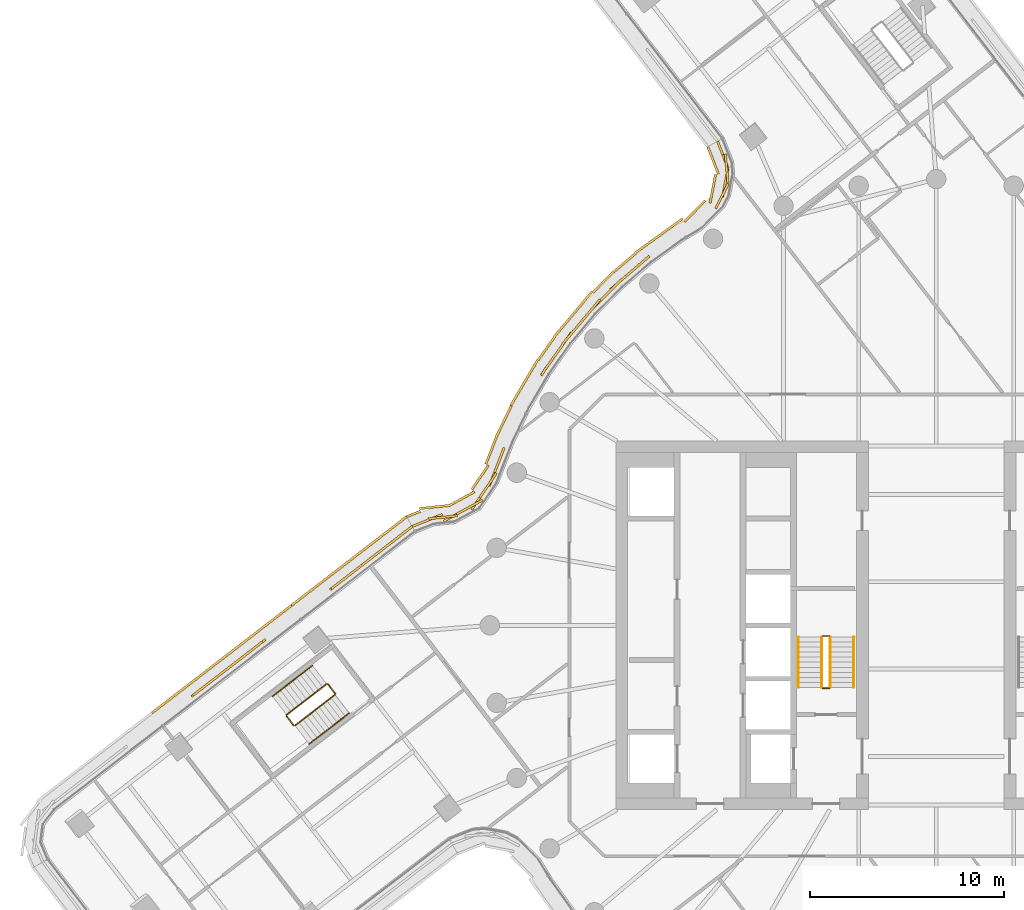
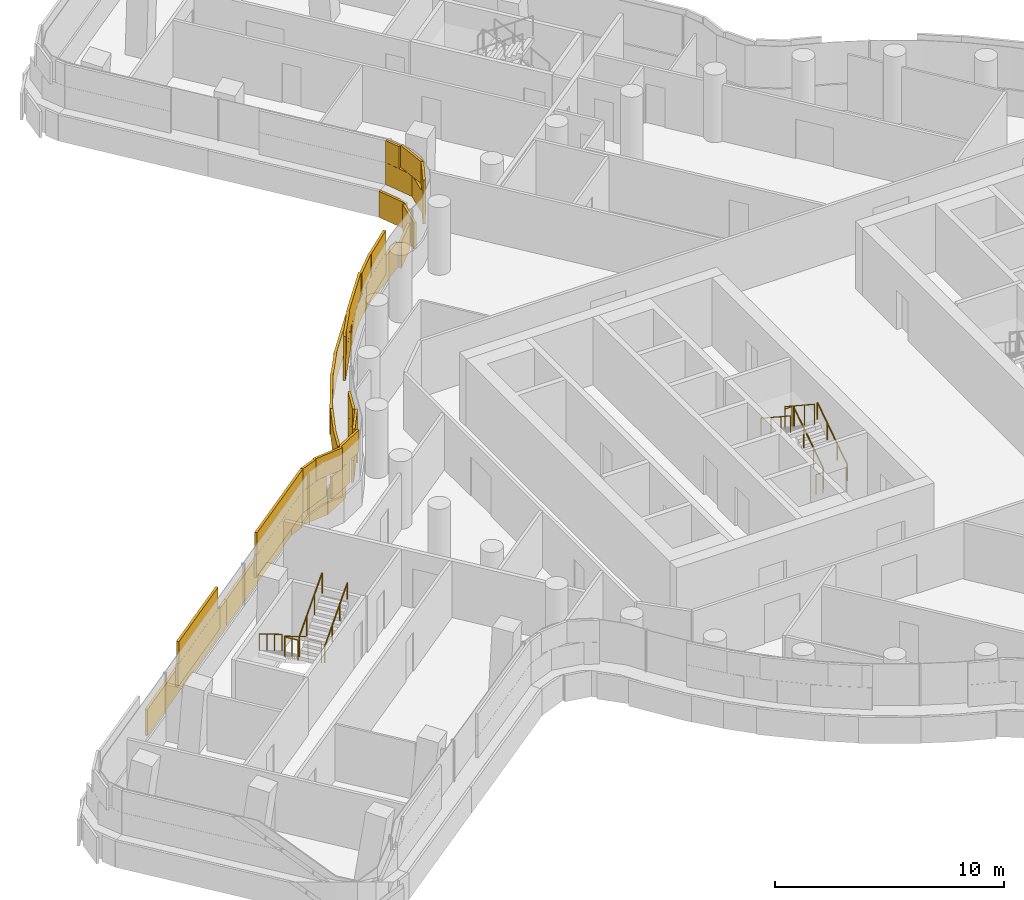
# One storey, part 29 of 33: 12 railings, 4 coverings.
"""IFC4 building model written with IfcOpenShell, lengths in metres."""

from ifc_helpers import new_model, si_unit, direction, frame, origin, origin_2d, place, context, subcontext, project, spatial, rectangle, circle, extrude, material, layer, layer_set, type_object, element, save


model = new_model("IFC4")

# Units and contexts
model_context = context("Model", 3, precision=1e-05, world=origin(), true_north=direction((0.0, 1.0)))
body_context = subcontext(model_context, "Body", "Model", "MODEL_VIEW")
ifc_project = project(units=[si_unit("LENGTHUNIT", "METRE"), si_unit("AREAUNIT", "SQUARE_METRE"), si_unit("VOLUMEUNIT", "CUBIC_METRE"), si_unit("PLANEANGLEUNIT", "RADIAN"), si_unit("MASSUNIT", "GRAM", prefix="KILO")], contexts=[model_context])

# Site, building, storey
site_placement = place(None, origin())
site = spatial("IfcSite", under=ifc_project, at=site_placement, CompositionType="ELEMENT")
building_placement = place(site_placement, origin())
building = spatial("IfcBuilding", under=site, at=building_placement, Name="Tamarind Cross Interchange Tower", CompositionType="ELEMENT")
storey_placement = place(building_placement, frame((0.0, 0.0, 170.5)))
storey = spatial("IfcBuildingStorey", under=building, at=storey_placement, Name="L42", CompositionType="ELEMENT", Elevation=170.5)

# Railings
ifc_material_1 = material(Name="Stair guard")
railing_type_1 = type_object("IfcRailingType", Name="Stair guard", PredefinedType="GUARDRAIL", material=ifc_material_1)
railing_1_placement = place(storey_placement, frame((-5.449951171875, -3.199951171875, 0.17041015625)))
element("IfcRailing", 1, at=railing_1_placement, inside=storey, type_object=railing_type_1, Name="L42 ST1 stair guard 1", PredefinedType="GUARDRAIL", context=body_context, shape_type="SweptSolid", body=[
    extrude(circle(Radius=0.02392578125, at=origin_2d()), frame((0.0, 0.0, 1.076171875), z_axis=(0.0, 0.836278606002, 0.548304744775), x_axis=(-1.0, 0.0, 0.0)), (0.0, 0.0, 1.0), 3.10888671875),
    extrude(circle(Radius=0.02099609375, at=origin_2d()), origin(), (0.0, 0.0, 1.0), 1.052001953125),
    extrude(circle(Radius=0.02099609375, at=origin_2d()), frame((0.0, 0.86669921875, 0.568115234375)), (0.0, 0.0, 1.0), 1.052001953125),
    extrude(circle(Radius=0.02099609375, at=origin_2d()), frame((0.0, 1.733154296875, 1.136474609375)), (0.0, 0.0, 1.0), 1.052001953125),
    extrude(circle(Radius=0.02099609375, at=origin_2d()), frame((0.0, 2.599853515625, 1.70458984375)), (0.0, 0.0, 1.0), 1.052001953125),
])
railing_2_placement = place(storey_placement, frame((-5.5, -0.550048828125, 1.875)))
element("IfcRailing", 2, at=railing_2_placement, inside=storey, type_object=railing_type_1, Name="L42 ST1 stair guard 2", PredefinedType="GUARDRAIL", context=body_context, shape_type="SweptSolid", body=[
    extrude(circle(Radius=0.02392578125, at=origin_2d()), frame((0.0, 0.0, 1.076171875), z_axis=(-1.0, 0.0, 0.0), x_axis=(0.0, -1.0, 0.0)), (0.0, 0.0, 1.0), 0.35009765625),
    extrude(circle(Radius=0.02099609375, at=origin_2d()), origin(), (0.0, 0.0, 1.0), 1.052001953125),
    extrude(circle(Radius=0.02099609375, at=origin_2d()), frame((-0.35009765625, 0.0, 0.0)), (0.0, 0.0, 1.0), 1.052001953125),
])
railing_3_placement = place(storey_placement, frame((-5.89990234375, -0.60009765625, 2.04541015625)))
element("IfcRailing", 3, at=railing_3_placement, inside=storey, type_object=railing_type_1, Name="L42 ST1 stair guard 3", PredefinedType="GUARDRAIL", context=body_context, shape_type="SweptSolid", body=[
    extrude(circle(Radius=0.02392578125, at=origin_2d()), frame((0.0, 0.0, 1.076171875), z_axis=(0.0, -0.836278606002, 0.548304744775), x_axis=(1.0, 0.0, 0.0)), (0.0, 0.0, 1.0), 3.10888671875),
    extrude(circle(Radius=0.02099609375, at=origin_2d()), origin(), (0.0, 0.0, 1.0), 1.052001953125),
    extrude(circle(Radius=0.02099609375, at=origin_2d()), frame((0.0, -0.86669921875, 0.568115234375)), (0.0, 0.0, 1.0), 1.052001953125),
    extrude(circle(Radius=0.02099609375, at=origin_2d()), frame((0.0, -1.733154296875, 1.136474609375)), (0.0, 0.0, 1.0), 1.052001953125),
    extrude(circle(Radius=0.02099609375, at=origin_2d()), frame((0.0, -2.599853515625, 1.70458984375)), (0.0, 0.0, 1.0), 1.052001953125),
])
railing_4_placement = place(storey_placement, frame((-5.5, -3.25, 0.0)))
element("IfcRailing", 4, at=railing_4_placement, inside=storey, type_object=railing_type_1, Name="L42 ST1 stair guard 4", PredefinedType="GUARDRAIL", context=body_context, shape_type="SweptSolid", body=[
    extrude(circle(Radius=0.02392578125, at=origin_2d()), frame((0.0, 0.0, 1.076171875), z_axis=(-1.0, 0.0, 0.0), x_axis=(0.0, -1.0, 0.0)), (0.0, 0.0, 1.0), 0.35009765625),
    extrude(circle(Radius=0.02099609375, at=origin_2d()), origin(), (0.0, 0.0, 1.0), 1.052001953125),
    extrude(circle(Radius=0.02099609375, at=origin_2d()), frame((-0.35009765625, 0.0, 0.0)), (0.0, 0.0, 1.0), 1.052001953125),
])
railing_5_placement = place(storey_placement, frame((-31.41162109375, -3.022216796875, 0.17041015625)))
element("IfcRailing", 5, at=railing_5_placement, inside=storey, type_object=railing_type_1, Name="L42 ST5 stair guard 1", PredefinedType="GUARDRAIL", context=body_context, shape_type="SweptSolid", body=[
    extrude(circle(Radius=0.02392578125, at=origin_2d()), frame((0.0, 0.0, 1.076171875), z_axis=(-0.662458664163, -0.510429269447, 0.548279562967), x_axis=(0.61034586925, -0.792135038923, 0.0)), (0.0, 0.0, 1.0), 3.10888671875),
    extrude(circle(Radius=0.02099609375, at=origin_2d()), origin(), (0.0, 0.0, 1.0), 1.052001953125),
    extrude(circle(Radius=0.02099609375, at=origin_2d()), frame((-0.6865234375, -0.529052734375, 0.568115234375)), (0.0, 0.0, 1.0), 1.052001953125),
    extrude(circle(Radius=0.02099609375, at=origin_2d()), frame((-1.373046875, -1.057861328125, 1.136474609375)), (0.0, 0.0, 1.0), 1.052001953125),
    extrude(circle(Radius=0.02099609375, at=origin_2d()), frame((-2.0595703125, -1.5869140625, 1.70458984375)), (0.0, 0.0, 1.0), 1.052001953125),
])
railing_6_placement = place(storey_placement, frame((-33.480224609375, -4.67919921875, 1.875)))
element("IfcRailing", 6, at=railing_6_placement, inside=storey, type_object=railing_type_1, Name="L42 ST5 stair guard 2", PredefinedType="GUARDRAIL", context=body_context, shape_type="SweptSolid", body=[
    extrude(circle(Radius=0.02392578125, at=origin_2d()), frame((0.0, 0.0, 1.076171875), z_axis=(0.610300473503, -0.792170014607, 0.0), x_axis=(0.792170014607, 0.610300473503, 0.0)), (0.0, 0.0, 1.0), 0.60009765625),
    extrude(circle(Radius=0.02099609375, at=origin_2d()), origin(), (0.0, 0.0, 1.0), 1.052001953125),
    extrude(circle(Radius=0.02099609375, at=origin_2d()), frame((0.3662109375, -0.475341796875, 0.0)), (0.0, 0.0, 1.0), 1.052001953125),
])
railing_7_placement = place(storey_placement, frame((-33.0439453125, -5.16357421875, 2.04541015625)))
element("IfcRailing", 7, at=railing_7_placement, inside=storey, type_object=railing_type_1, Name="L42 ST5 stair guard 3", PredefinedType="GUARDRAIL", context=body_context, shape_type="SweptSolid", body=[
    extrude(circle(Radius=0.02392578125, at=origin_2d()), frame((0.0, 0.0, 1.076171875), z_axis=(0.662485216898, 0.510371197798, 0.548301539164), x_axis=(-0.610286944407, 0.792180437455, 0.0)), (0.0, 0.0, 1.0), 3.10888671875),
    extrude(circle(Radius=0.02099609375, at=origin_2d()), origin(), (0.0, 0.0, 1.0), 1.052001953125),
    extrude(circle(Radius=0.02099609375, at=origin_2d()), frame((0.6865234375, 0.52880859375, 0.568115234375)), (0.0, 0.0, 1.0), 1.052001953125),
    extrude(circle(Radius=0.02099609375, at=origin_2d()), frame((1.373046875, 1.057861328125, 1.136474609375)), (0.0, 0.0, 1.0), 1.052001953125),
    extrude(circle(Radius=0.02099609375, at=origin_2d()), frame((2.0595703125, 1.586669921875, 1.70458984375)), (0.0, 0.0, 1.0), 1.052001953125),
])
railing_8_placement = place(storey_placement, frame((-31.341552734375, -3.031494140625, 0.0)))
element("IfcRailing", 8, at=railing_8_placement, inside=storey, type_object=railing_type_1, Name="L42 ST5 stair guard 4", PredefinedType="GUARDRAIL", context=body_context, shape_type="SweptSolid", body=[
    extrude(circle(Radius=0.02392578125, at=origin_2d()), frame((0.0, 0.0, 1.076171875), z_axis=(0.610497222707, -0.792018396925, 0.0), x_axis=(0.792018396925, 0.610497222707, 0.0)), (0.0, 0.0, 1.0), 0.599853515625),
    extrude(circle(Radius=0.02099609375, at=origin_2d()), origin(), (0.0, 0.0, 1.0), 1.052001953125),
    extrude(circle(Radius=0.02099609375, at=origin_2d()), frame((0.3662109375, -0.47509765625, 0.0)), (0.0, 0.0, 1.0), 1.052001953125),
])
ifc_material_2 = material(Name="Stair handrail")
railing_type_2 = type_object("IfcRailingType", Name="Stair handrail", PredefinedType="HANDRAIL", material=ifc_material_2)
railing_9_placement = place(storey_placement, frame((-4.25, -3.199951171875, 0.17041015625)))
element("IfcRailing", 9, at=railing_9_placement, inside=storey, type_object=railing_type_2, Name="L42 ST1 stair handrail 1", PredefinedType="HANDRAIL", context=body_context, shape_type="SweptSolid", body=[
    extrude(circle(Radius=0.02392578125, at=origin_2d()), frame((0.0, 0.0, 0.8759765625), z_axis=(0.0, 0.836278606002, 0.548304744775), x_axis=(-1.0, 0.0, 0.0)), (0.0, 0.0, 1.0), 3.10888671875),
    extrude(circle(Radius=0.02099609375, at=origin_2d()), origin(), (0.0, 0.0, 1.0), 0.851806640625),
    extrude(circle(Radius=0.02099609375, at=origin_2d()), frame((0.0, 0.86669921875, 0.568115234375)), (0.0, 0.0, 1.0), 0.851806640625),
    extrude(circle(Radius=0.02099609375, at=origin_2d()), frame((0.0, 1.733154296875, 1.136474609375)), (0.0, 0.0, 1.0), 0.851806640625),
    extrude(circle(Radius=0.02099609375, at=origin_2d()), frame((0.0, 2.599853515625, 1.70458984375)), (0.0, 0.0, 1.0), 0.851806640625),
])
railing_10_placement = place(storey_placement, frame((-7.10009765625, -0.60009765625, 2.04541015625)))
element("IfcRailing", 10, at=railing_10_placement, inside=storey, type_object=railing_type_2, Name="L42 ST1 stair handrail 2", PredefinedType="HANDRAIL", context=body_context, shape_type="SweptSolid", body=[
    extrude(circle(Radius=0.02392578125, at=origin_2d()), frame((0.0, 0.0, 0.8759765625), z_axis=(0.0, -0.836278606002, 0.548304744775), x_axis=(1.0, 0.0, 0.0)), (0.0, 0.0, 1.0), 3.10888671875),
    extrude(circle(Radius=0.02099609375, at=origin_2d()), origin(), (0.0, 0.0, 1.0), 0.851806640625),
    extrude(circle(Radius=0.02099609375, at=origin_2d()), frame((0.0, -0.86669921875, 0.568115234375)), (0.0, 0.0, 1.0), 0.851806640625),
    extrude(circle(Radius=0.02099609375, at=origin_2d()), frame((0.0, -1.733154296875, 1.136474609375)), (0.0, 0.0, 1.0), 0.851806640625),
    extrude(circle(Radius=0.02099609375, at=origin_2d()), frame((0.0, -2.599853515625, 1.70458984375)), (0.0, 0.0, 1.0), 0.851806640625),
])
railing_11_placement = place(storey_placement, frame((-32.14404296875, -2.07177734375, 0.17041015625)))
element("IfcRailing", 11, at=railing_11_placement, inside=storey, type_object=railing_type_2, Name="L42 ST5 stair handrail 1", PredefinedType="HANDRAIL", context=body_context, shape_type="SweptSolid", body=[
    extrude(circle(Radius=0.02392578125, at=origin_2d()), frame((0.0, 0.0, 0.8759765625), z_axis=(-0.662485216898, -0.510371197798, 0.548301539164), x_axis=(0.610286944407, -0.792180437455, 0.0)), (0.0, 0.0, 1.0), 3.10888671875),
    extrude(circle(Radius=0.02099609375, at=origin_2d()), origin(), (0.0, 0.0, 1.0), 0.851806640625),
    extrude(circle(Radius=0.02099609375, at=origin_2d()), frame((-0.6865234375, -0.52880859375, 0.568115234375)), (0.0, 0.0, 1.0), 0.851806640625),
    extrude(circle(Radius=0.02099609375, at=origin_2d()), frame((-1.373046875, -1.057861328125, 1.136474609375)), (0.0, 0.0, 1.0), 0.851806640625),
    extrude(circle(Radius=0.02099609375, at=origin_2d()), frame((-2.0595703125, -1.586669921875, 1.70458984375)), (0.0, 0.0, 1.0), 0.851806640625),
])
railing_12_placement = place(storey_placement, frame((-32.3115234375, -6.1142578125, 2.04541015625)))
element("IfcRailing", 12, at=railing_12_placement, inside=storey, type_object=railing_type_2, Name="L42 ST5 stair handrail 2", PredefinedType="HANDRAIL", context=body_context, shape_type="SweptSolid", body=[
    extrude(circle(Radius=0.02392578125, at=origin_2d()), frame((0.0, 0.0, 0.8759765625), z_axis=(0.662458664163, 0.510429269447, 0.548279562967), x_axis=(-0.61034586925, 0.792135038923, 0.0)), (0.0, 0.0, 1.0), 3.10888671875),
    extrude(circle(Radius=0.02099609375, at=origin_2d()), origin(), (0.0, 0.0, 1.0), 0.851806640625),
    extrude(circle(Radius=0.02099609375, at=origin_2d()), frame((0.6865234375, 0.529052734375, 0.568115234375)), (0.0, 0.0, 1.0), 0.851806640625),
    extrude(circle(Radius=0.02099609375, at=origin_2d()), frame((1.373046875, 1.057861328125, 1.136474609375)), (0.0, 0.0, 1.0), 0.851806640625),
    extrude(circle(Radius=0.02099609375, at=origin_2d()), frame((2.0595703125, 1.5869140625, 1.70458984375)), (0.0, 0.0, 1.0), 0.851806640625),
])

# Coverings
ifc_material_3 = material(Name="Terracotta", Category="masonry")
ifc_layer = layer(ifc_material_3, 0.1201171875)
ifc_layer_set = layer_set([ifc_layer], Name="Terracotta")
covering_type = type_object("IfcCoveringType", Name="Terracotta baguette screen unit", PredefinedType="MOLDING", material=ifc_layer_set)
covering_1_placement = place(storey_placement, origin())
element("IfcCovering", 13, at=covering_1_placement, inside=storey, type_object=covering_type, Name="SCR-L42-06-00", PredefinedType="MOLDING", context=body_context, shape_type="SweptSolid", body=[
    extrude(rectangle(XDim=1.510009765625, YDim=0.1201171875, at=origin_2d()), frame((-10.9951171875, 24.248291015625, 1.404052734375), z_axis=(0.0, 0.0, 1.0), x_axis=(0.366104623629, -0.930573696468, 0.0)), (0.0, 0.0, 1.0), 1.1669921875),
    extrude(rectangle(XDim=1.52001953125, YDim=0.1201171875, at=origin_2d()), frame((-10.87158203125, 22.7919921875, 1.404052734375), z_axis=(0.0, 0.0, 1.0), x_axis=(-0.187361824363, -0.982290968487, 0.0)), (0.0, 0.0, 1.0), 1.1669921875),
    extrude(rectangle(XDim=0.6689453125, YDim=0.1201171875, at=origin_2d()), frame((-11.21142578125, 21.778564453125, 1.404052734375), z_axis=(0.0, 0.0, 1.0), x_axis=(-0.45299626319, -0.891512414684, 0.0)), (0.0, 0.0, 1.0), 1.1669921875),
    extrude(rectangle(XDim=1.151123046875, YDim=0.1201171875, at=origin_2d()), frame((-15.213623046875, 18.654541015625, 1.404052734375), z_axis=(0.0, 0.0, 1.0), x_axis=(-0.760295606781, -0.64957723968, 0.0)), (0.0, 0.0, 1.0), 1.1669921875),
    extrude(rectangle(XDim=1.52001953125, YDim=0.1201171875, at=origin_2d()), frame((-16.2177734375, 17.796875, 1.404052734375), z_axis=(0.0, 0.0, 1.0), x_axis=(-0.760295606781, -0.64957723968, 0.0)), (0.0, 0.0, 1.0), 1.1669921875),
    extrude(rectangle(XDim=1.52001953125, YDim=0.1201171875, at=origin_2d()), frame((-17.286376953125, 16.7451171875, 1.404052734375), z_axis=(0.0, 0.0, 1.0), x_axis=(-0.704057148523, -0.710143317658, 0.0)), (0.0, 0.0, 1.0), 1.1669921875),
    extrude(rectangle(XDim=1.52001953125, YDim=0.1201171875, at=origin_2d()), frame((-18.294677734375, 15.636474609375, 1.404052734375), z_axis=(0.0, 0.0, 1.0), x_axis=(-0.643009266048, -0.765858396687, 0.0)), (0.0, 0.0, 1.0), 1.1669921875),
    extrude(rectangle(XDim=1.52001953125, YDim=0.1201171875, at=origin_2d()), frame((-19.239990234375, 14.47265625, 1.404052734375), z_axis=(0.0, 0.0, 1.0), x_axis=(-0.577568978284, -0.816341886298, 0.0)), (0.0, 0.0, 1.0), 1.1669921875),
    extrude(rectangle(XDim=1.198486328125, YDim=0.1201171875, at=origin_2d()), frame((-20.016357421875, 13.37548828125, 1.404052734375), z_axis=(0.0, 0.0, 1.0), x_axis=(-0.577568978284, -0.816341886298, 0.0)), (0.0, 0.0, 1.0), 1.1669921875),
    extrude(rectangle(XDim=0.760009765625, YDim=0.1201171875, at=origin_2d()), frame((-11.13232421875, 24.59716796875, 2.5791015625), z_axis=(0.0, 0.0, 1.0), x_axis=(0.366104623629, -0.930573696468, 0.0)), (0.0, 0.0, 1.0), 1.1669921875),
    extrude(rectangle(XDim=1.52001953125, YDim=0.1201171875, at=origin_2d()), frame((-10.797607421875, 23.531982421875, 2.5791015625), z_axis=(0.0, 0.0, 1.0), x_axis=(0.093037176066, -0.99566263557, 0.0)), (0.0, 0.0, 1.0), 1.1669921875),
    extrude(rectangle(XDim=1.4189453125, YDim=0.1201171875, at=origin_2d()), frame((-11.04150390625, 22.113037109375, 2.5791015625), z_axis=(0.0, 0.0, 1.0), x_axis=(-0.45299626319, -0.891512414684, 0.0)), (0.0, 0.0, 1.0), 1.1669921875),
    extrude(rectangle(XDim=0.401123046875, YDim=0.1201171875, at=origin_2d()), frame((-14.928466796875, 18.898193359375, 2.5791015625), z_axis=(0.0, 0.0, 1.0), x_axis=(-0.760295606781, -0.64957723968, 0.0)), (0.0, 0.0, 1.0), 1.1669921875),
    extrude(rectangle(XDim=1.52001953125, YDim=0.1201171875, at=origin_2d()), frame((-15.6474609375, 18.283935546875, 2.5791015625), z_axis=(0.0, 0.0, 1.0), x_axis=(-0.760295606781, -0.64957723968, 0.0)), (0.0, 0.0, 1.0), 1.1669921875),
    extrude(rectangle(XDim=1.52001953125, YDim=0.1201171875, at=origin_2d()), frame((-16.75830078125, 17.27783203125, 2.5791015625), z_axis=(0.0, 0.0, 1.0), x_axis=(-0.704057148523, -0.710143317658, 0.0)), (0.0, 0.0, 1.0), 1.1669921875),
    extrude(rectangle(XDim=1.52001953125, YDim=0.1201171875, at=origin_2d()), frame((-17.8125, 16.210693359375, 2.5791015625), z_axis=(0.0, 0.0, 1.0), x_axis=(-0.643009266048, -0.765858396687, 0.0)), (0.0, 0.0, 1.0), 1.1669921875),
    extrude(rectangle(XDim=1.52001953125, YDim=0.1201171875, at=origin_2d()), frame((-18.77685546875, 15.06201171875, 2.5791015625), z_axis=(0.0, 0.0, 1.0), x_axis=(-0.643009266048, -0.765858396687, 0.0)), (0.0, 0.0, 1.0), 1.1669921875),
    extrude(rectangle(XDim=1.52001953125, YDim=0.1201171875, at=origin_2d()), frame((-19.673095703125, 13.860595703125, 2.5791015625), z_axis=(0.0, 0.0, 1.0), x_axis=(-0.577568978284, -0.816341886298, 0.0)), (0.0, 0.0, 1.0), 1.1669921875),
    extrude(rectangle(XDim=0.448486328125, YDim=0.1201171875, at=origin_2d()), frame((-20.2314453125, 13.068359375, 2.5791015625), z_axis=(0.0, 0.0, 1.0), x_axis=(-0.508183308752, -0.861248933065, 0.0)), (0.0, 0.0, 1.0), 1.1669921875),
    extrude(rectangle(XDim=1.510009765625, YDim=0.1201171875, at=origin_2d()), frame((-11.497802734375, 23.95849609375, 0.00390625), z_axis=(0.0, 0.0, 1.0), x_axis=(0.366104623629, -0.930573696468, 0.0)), (0.0, 0.0, 1.0), 1.39208984375),
    extrude(rectangle(XDim=1.52001953125, YDim=0.1201171875, at=origin_2d()), frame((-11.511474609375, 22.500732421875, 0.00390625), z_axis=(0.0, 0.0, 1.0), x_axis=(-0.187361824363, -0.982290968487, 0.0)), (0.0, 0.0, 1.0), 1.39208984375),
    extrude(rectangle(XDim=1.52001953125, YDim=0.1201171875, at=origin_2d()), frame((-12.439208984375, 21.349365234375, 0.00390625), z_axis=(0.0, 0.0, 1.0), x_axis=(-0.70154614738, -0.712624026466, 0.0)), (0.0, 0.0, 1.0), 1.39208984375),
    extrude(rectangle(XDim=1.52001953125, YDim=0.1201171875, at=origin_2d()), frame((-13.67724609375, 20.51416015625, 0.00390625), z_axis=(0.0, 0.0, 1.0), x_axis=(-0.811340475102, -0.584573890505, 0.0)), (0.0, 0.0, 1.0), 1.39208984375),
    extrude(rectangle(XDim=1.52001953125, YDim=0.1201171875, at=origin_2d()), frame((-14.894287109375, 19.637451171875, 0.00390625), z_axis=(0.0, 0.0, 1.0), x_axis=(-0.811340475102, -0.584573890505, 0.0)), (0.0, 0.0, 1.0), 1.39208984375),
    extrude(rectangle(XDim=1.52001953125, YDim=0.1201171875, at=origin_2d()), frame((-16.055908203125, 18.68994140625, 0.00390625), z_axis=(0.0, 0.0, 1.0), x_axis=(-0.760295606781, -0.64957723968, 0.0)), (0.0, 0.0, 1.0), 1.39208984375),
    extrude(rectangle(XDim=1.52001953125, YDim=0.1201171875, at=origin_2d()), frame((-17.16552734375, 17.682373046875, 0.00390625), z_axis=(0.0, 0.0, 1.0), x_axis=(-0.704057148523, -0.710143317658, 0.0)), (0.0, 0.0, 1.0), 1.39208984375),
    extrude(rectangle(XDim=1.52001953125, YDim=0.1201171875, at=origin_2d()), frame((-18.22119140625, 16.61669921875, 0.00390625), z_axis=(0.0, 0.0, 1.0), x_axis=(-0.643009266048, -0.765858396687, 0.0)), (0.0, 0.0, 1.0), 1.39208984375),
    extrude(rectangle(XDim=1.52001953125, YDim=0.1201171875, at=origin_2d()), frame((-19.185546875, 15.4677734375, 0.00390625), z_axis=(0.0, 0.0, 1.0), x_axis=(-0.643009266048, -0.765858396687, 0.0)), (0.0, 0.0, 1.0), 1.39208984375),
    extrude(rectangle(XDim=1.52001953125, YDim=0.1201171875, at=origin_2d()), frame((-20.086669921875, 14.27001953125, 0.00390625), z_axis=(0.0, 0.0, 1.0), x_axis=(-0.577568978284, -0.816341886298, 0.0)), (0.0, 0.0, 1.0), 1.39208984375),
    extrude(rectangle(XDim=1.52001953125, YDim=0.1201171875, at=origin_2d()), frame((-20.9228515625, 13.026123046875, 0.00390625), z_axis=(0.0, 0.0, 1.0), x_axis=(-0.508183308752, -0.861248933065, 0.0)), (0.0, 0.0, 1.0), 1.39208984375),
    extrude(rectangle(XDim=1.223388671875, YDim=0.1201171875, at=origin_2d()), frame((-21.60986328125, 11.86181640625, 0.00390625), z_axis=(0.0, 0.0, 1.0), x_axis=(-0.508183308752, -0.861248933065, 0.0)), (0.0, 0.0, 1.0), 1.39208984375),
])
covering_2_placement = place(storey_placement, origin())
element("IfcCovering", 14, at=covering_2_placement, inside=storey, type_object=covering_type, Name="SCR-L42-06-01", PredefinedType="MOLDING", context=body_context, shape_type="SweptSolid", body=[
    extrude(rectangle(XDim=0.62158203125, YDim=0.1201171875, at=origin_2d()), frame((-22.37548828125, 8.866943359375, 1.404052734375), z_axis=(0.0, 0.0, 1.0), x_axis=(-0.361572559984, -0.932343972934, 0.0)), (0.0, 0.0, 1.0), 1.1669921875),
    extrude(rectangle(XDim=1.52001953125, YDim=0.1201171875, at=origin_2d()), frame((-22.757080078125, 7.882568359375, 1.404052734375), z_axis=(0.0, 0.0, 1.0), x_axis=(-0.361572559984, -0.932343972934, 0.0)), (0.0, 0.0, 1.0), 1.1669921875),
    extrude(rectangle(XDim=1.52001953125, YDim=0.1201171875, at=origin_2d()), frame((-23.510986328125, 6.594970703125, 1.404052734375), z_axis=(0.0, 0.0, 1.0), x_axis=(-0.561400967364, -0.827543928648, 0.0)), (0.0, 0.0, 1.0), 1.1669921875),
    extrude(rectangle(XDim=1.52001953125, YDim=0.1201171875, at=origin_2d()), frame((-24.70068359375, 5.73681640625, 1.404052734375), z_axis=(0.0, 0.0, 1.0), x_axis=(-0.8783342072, -0.478047090214, 0.0)), (0.0, 0.0, 1.0), 1.1669921875),
    extrude(rectangle(XDim=1.52001953125, YDim=0.1201171875, at=origin_2d()), frame((-26.151611328125, 5.43701171875, 1.404052734375), z_axis=(0.0, 0.0, 1.0), x_axis=(-0.928182041962, -0.372126452941, 0.0)), (0.0, 0.0, 1.0), 1.1669921875),
    extrude(rectangle(XDim=0.17724609375, YDim=0.1201171875, at=origin_2d()), frame((-26.92529296875, 5.126708984375, 1.404052734375), z_axis=(0.0, 0.0, 1.0), x_axis=(-0.928182041962, -0.372126452941, 0.0)), (0.0, 0.0, 1.0), 1.1669921875),
    extrude(rectangle(XDim=1.37158203125, YDim=0.1201171875, at=origin_2d()), frame((-22.510986328125, 8.517333984375, 2.5791015625), z_axis=(0.0, 0.0, 1.0), x_axis=(-0.361572559984, -0.932343972934, 0.0)), (0.0, 0.0, 1.0), 1.1669921875),
    extrude(rectangle(XDim=1.52001953125, YDim=0.1201171875, at=origin_2d()), frame((-23.090087890625, 7.215576171875, 2.5791015625), z_axis=(0.0, 0.0, 1.0), x_axis=(-0.561400967364, -0.827543928648, 0.0)), (0.0, 0.0, 1.0), 1.1669921875),
    extrude(rectangle(XDim=1.52001953125, YDim=0.1201171875, at=origin_2d()), frame((-24.0419921875, 6.095458984375, 2.5791015625), z_axis=(0.0, 0.0, 1.0), x_axis=(-0.8783342072, -0.478047090214, 0.0)), (0.0, 0.0, 1.0), 1.1669921875),
    extrude(rectangle(XDim=1.52001953125, YDim=0.1201171875, at=origin_2d()), frame((-25.418701171875, 5.568359375, 2.5791015625), z_axis=(0.0, 0.0, 1.0), x_axis=(-0.99437341989, -0.105931590269, 0.0)), (0.0, 0.0, 1.0), 1.1669921875),
    extrude(rectangle(XDim=0.92724609375, YDim=0.1201171875, at=origin_2d()), frame((-26.577392578125, 5.266357421875, 2.5791015625), z_axis=(0.0, 0.0, 1.0), x_axis=(-0.928182041962, -0.372126452941, 0.0)), (0.0, 0.0, 1.0), 1.1669921875),
    extrude(rectangle(XDim=0.296630859375, YDim=0.1201171875, at=origin_2d()), frame((-21.959228515625, 11.1875, 0.00390625), z_axis=(0.0, 0.0, 1.0), x_axis=(-0.435326231914, -0.900272776334, 0.0)), (0.0, 0.0, 1.0), 1.39208984375),
    extrude(rectangle(XDim=1.52001953125, YDim=0.1201171875, at=origin_2d()), frame((-22.345703125, 10.387939453125, 0.00390625), z_axis=(0.0, 0.0, 1.0), x_axis=(-0.435326231914, -0.900272776334, 0.0)), (0.0, 0.0, 1.0), 1.39208984375),
    extrude(rectangle(XDim=1.52001953125, YDim=0.1201171875, at=origin_2d()), frame((-22.935546875, 9.010009765625, 0.00390625), z_axis=(0.0, 0.0, 1.0), x_axis=(-0.361572559984, -0.932343972934, 0.0)), (0.0, 0.0, 1.0), 1.39208984375),
    extrude(rectangle(XDim=1.52001953125, YDim=0.1201171875, at=origin_2d()), frame((-23.50537109375, 7.625732421875, 0.00390625), z_axis=(0.0, 0.0, 1.0), x_axis=(-0.561400967364, -0.827543928648, 0.0)), (0.0, 0.0, 1.0), 1.39208984375),
    extrude(rectangle(XDim=1.52001953125, YDim=0.1201171875, at=origin_2d()), frame((-24.4677734375, 6.51708984375, 0.00390625), z_axis=(0.0, 0.0, 1.0), x_axis=(-0.8783342072, -0.478047090214, 0.0)), (0.0, 0.0, 1.0), 1.39208984375),
    extrude(rectangle(XDim=1.52001953125, YDim=0.1201171875, at=origin_2d()), frame((-25.877685546875, 6.0966796875, 0.00390625), z_axis=(0.0, 0.0, 1.0), x_axis=(-0.99437341989, -0.105931590269, 0.0)), (0.0, 0.0, 1.0), 1.39208984375),
    extrude(rectangle(XDim=0.76513671875, YDim=0.1201171875, at=origin_2d()), frame((-26.935302734375, 5.7412109375, 0.00390625), z_axis=(0.0, 0.0, 1.0), x_axis=(-0.928182041962, -0.372126452941, 0.0)), (0.0, 0.0, 1.0), 1.39208984375),
])
covering_3_placement = place(storey_placement, origin())
element("IfcCovering", 15, at=covering_3_placement, inside=storey, type_object=covering_type, Name="SCR-L42-07-00", PredefinedType="MOLDING", context=body_context, shape_type="SweptSolid", body=[
    extrude(rectangle(XDim=1.510009765625, YDim=0.1201171875, at=origin_2d()), frame((-27.59716796875, 4.637939453125, 1.404052734375), z_axis=(0.0, 0.0, 1.0), x_axis=(-0.792153315847, -0.610322147879, 0.0)), (0.0, 0.0, 1.0), 1.1669921875),
    extrude(rectangle(XDim=1.52001953125, YDim=0.1201171875, at=origin_2d()), frame((-28.785400390625, 3.722412109375, 1.404052734375), z_axis=(0.0, 0.0, 1.0), x_axis=(-0.792153315847, -0.610322147879, 0.0)), (0.0, 0.0, 1.0), 1.1669921875),
    extrude(rectangle(XDim=1.52001953125, YDim=0.1201171875, at=origin_2d()), frame((-29.9736328125, 2.806884765625, 1.404052734375), z_axis=(0.0, 0.0, 1.0), x_axis=(-0.792153315847, -0.610322147879, 0.0)), (0.0, 0.0, 1.0), 1.1669921875),
    extrude(rectangle(XDim=0.85205078125, YDim=0.1201171875, at=origin_2d()), frame((-30.901123046875, 2.09228515625, 1.404052734375), z_axis=(0.0, 0.0, 1.0), x_axis=(-0.792153315847, -0.610322147879, 0.0)), (0.0, 0.0, 1.0), 1.1669921875),
    extrude(rectangle(XDim=0.760009765625, YDim=0.1201171875, at=origin_2d()), frame((-27.300048828125, 4.866943359375, 2.5791015625), z_axis=(0.0, 0.0, 1.0), x_axis=(-0.792153315847, -0.610322147879, 0.0)), (0.0, 0.0, 1.0), 1.1669921875),
    extrude(rectangle(XDim=1.52001953125, YDim=0.1201171875, at=origin_2d()), frame((-28.191162109375, 4.18017578125, 2.5791015625), z_axis=(0.0, 0.0, 1.0), x_axis=(-0.792153315847, -0.610322147879, 0.0)), (0.0, 0.0, 1.0), 1.1669921875),
    extrude(rectangle(XDim=1.52001953125, YDim=0.1201171875, at=origin_2d()), frame((-29.37939453125, 3.2646484375, 2.5791015625), z_axis=(0.0, 0.0, 1.0), x_axis=(-0.792153315847, -0.610322147879, 0.0)), (0.0, 0.0, 1.0), 1.1669921875),
    extrude(rectangle(XDim=1.52001953125, YDim=0.1201171875, at=origin_2d()), frame((-30.567626953125, 2.349365234375, 2.5791015625), z_axis=(0.0, 0.0, 1.0), x_axis=(-0.792153315847, -0.610322147879, 0.0)), (0.0, 0.0, 1.0), 1.1669921875),
    extrude(rectangle(XDim=1.510009765625, YDim=0.1201171875, at=origin_2d()), frame((-27.888427734375, 5.13818359375, 0.00390625), z_axis=(0.0, 0.0, 1.0), x_axis=(-0.792153315847, -0.610322147879, 0.0)), (0.0, 0.0, 1.0), 1.39208984375),
    extrude(rectangle(XDim=1.52001953125, YDim=0.1201171875, at=origin_2d()), frame((-29.07275390625, 4.2255859375, 0.00390625), z_axis=(0.0, 0.0, 1.0), x_axis=(-0.792153315847, -0.610322147879, 0.0)), (0.0, 0.0, 1.0), 1.39208984375),
    extrude(rectangle(XDim=1.52001953125, YDim=0.1201171875, at=origin_2d()), frame((-30.260986328125, 3.310302734375, 0.00390625), z_axis=(0.0, 0.0, 1.0), x_axis=(-0.792153315847, -0.610322147879, 0.0)), (0.0, 0.0, 1.0), 1.39208984375),
    extrude(rectangle(XDim=1.52001953125, YDim=0.1201171875, at=origin_2d()), frame((-31.44921875, 2.394775390625, 0.00390625), z_axis=(0.0, 0.0, 1.0), x_axis=(-0.792153315847, -0.610322147879, 0.0)), (0.0, 0.0, 1.0), 1.39208984375),
    extrude(rectangle(XDim=1.5009765625, YDim=0.1201171875, at=origin_2d()), frame((-32.6298828125, 1.485107421875, 0.00390625), z_axis=(0.0, 0.0, 1.0), x_axis=(-0.792153315847, -0.610322147879, 0.0)), (0.0, 0.0, 1.0), 1.39208984375),
])
covering_4_placement = place(storey_placement, origin())
element("IfcCovering", 16, at=covering_4_placement, inside=storey, type_object=covering_type, Name="SCR-L42-07-01", PredefinedType="MOLDING", context=body_context, shape_type="SweptSolid", body=[
    extrude(rectangle(XDim=0.968017578125, YDim=0.1201171875, at=origin_2d()), frame((-34.941162109375, -1.020263671875, 1.404052734375), z_axis=(0.0, 0.0, 1.0), x_axis=(-0.792153315847, -0.610322147879, 0.0)), (0.0, 0.0, 1.0), 1.1669921875),
    extrude(rectangle(XDim=1.52001953125, YDim=0.1201171875, at=origin_2d()), frame((-35.914794921875, -1.7705078125, 1.404052734375), z_axis=(0.0, 0.0, 1.0), x_axis=(-0.792153315847, -0.610322147879, 0.0)), (0.0, 0.0, 1.0), 1.1669921875),
    extrude(rectangle(XDim=1.52001953125, YDim=0.1201171875, at=origin_2d()), frame((-37.10302734375, -2.685791015625, 1.404052734375), z_axis=(0.0, 0.0, 1.0), x_axis=(-0.792153315847, -0.610322147879, 0.0)), (0.0, 0.0, 1.0), 1.1669921875),
    extrude(rectangle(XDim=0.861328125, YDim=0.1201171875, at=origin_2d()), frame((-38.0341796875, -3.403564453125, 1.404052734375), z_axis=(0.0, 0.0, 1.0), x_axis=(-0.792153315847, -0.610322147879, 0.0)), (0.0, 0.0, 1.0), 1.1669921875),
    extrude(rectangle(XDim=1.52001953125, YDim=0.1201171875, at=origin_2d()), frame((-35.320556640625, -1.312744140625, 2.5791015625), z_axis=(0.0, 0.0, 1.0), x_axis=(-0.792153315847, -0.610322147879, 0.0)), (0.0, 0.0, 1.0), 1.1669921875),
    extrude(rectangle(XDim=1.52001953125, YDim=0.1201171875, at=origin_2d()), frame((-36.5087890625, -2.228271484375, 2.5791015625), z_axis=(0.0, 0.0, 1.0), x_axis=(-0.792153315847, -0.610322147879, 0.0)), (0.0, 0.0, 1.0), 1.1669921875),
    extrude(rectangle(XDim=1.52001953125, YDim=0.1201171875, at=origin_2d()), frame((-37.697021484375, -3.1435546875, 2.5791015625), z_axis=(0.0, 0.0, 1.0), x_axis=(-0.792153315847, -0.610322147879, 0.0)), (0.0, 0.0, 1.0), 1.1669921875),
    extrude(rectangle(XDim=1.52001953125, YDim=0.1201171875, at=origin_2d()), frame((-33.82568359375, 0.563720703125, 0.00390625), z_axis=(0.0, 0.0, 1.0), x_axis=(-0.792153315847, -0.610322147879, 0.0)), (0.0, 0.0, 1.0), 1.39208984375),
    extrude(rectangle(XDim=1.52001953125, YDim=0.1201171875, at=origin_2d()), frame((-35.013916015625, -0.351806640625, 0.00390625), z_axis=(0.0, 0.0, 1.0), x_axis=(-0.792153315847, -0.610322147879, 0.0)), (0.0, 0.0, 1.0), 1.39208984375),
    extrude(rectangle(XDim=1.52001953125, YDim=0.1201171875, at=origin_2d()), frame((-36.2021484375, -1.267333984375, 0.00390625), z_axis=(0.0, 0.0, 1.0), x_axis=(-0.792153315847, -0.610322147879, 0.0)), (0.0, 0.0, 1.0), 1.39208984375),
    extrude(rectangle(XDim=1.52001953125, YDim=0.1201171875, at=origin_2d()), frame((-37.390380859375, -2.1826171875, 0.00390625), z_axis=(0.0, 0.0, 1.0), x_axis=(-0.792153315847, -0.610322147879, 0.0)), (0.0, 0.0, 1.0), 1.39208984375),
    extrude(rectangle(XDim=1.52001953125, YDim=0.1201171875, at=origin_2d()), frame((-38.57861328125, -3.09814453125, 0.00390625), z_axis=(0.0, 0.0, 1.0), x_axis=(-0.792153315847, -0.610322147879, 0.0)), (0.0, 0.0, 1.0), 1.39208984375),
    extrude(rectangle(XDim=1.52001953125, YDim=0.1201171875, at=origin_2d()), frame((-39.766845703125, -4.013671875, 0.00390625), z_axis=(0.0, 0.0, 1.0), x_axis=(-0.792153315847, -0.610322147879, 0.0)), (0.0, 0.0, 1.0), 1.39208984375),
    extrude(rectangle(XDim=0.069580078125, YDim=0.1201171875, at=origin_2d()), frame((-40.380615234375, -4.486572265625, 0.00390625), z_axis=(0.0, 0.0, 1.0), x_axis=(-0.792153315847, -0.610322147879, 0.0)), (0.0, 0.0, 1.0), 1.39208984375),
])

save(model, "model.ifc")
